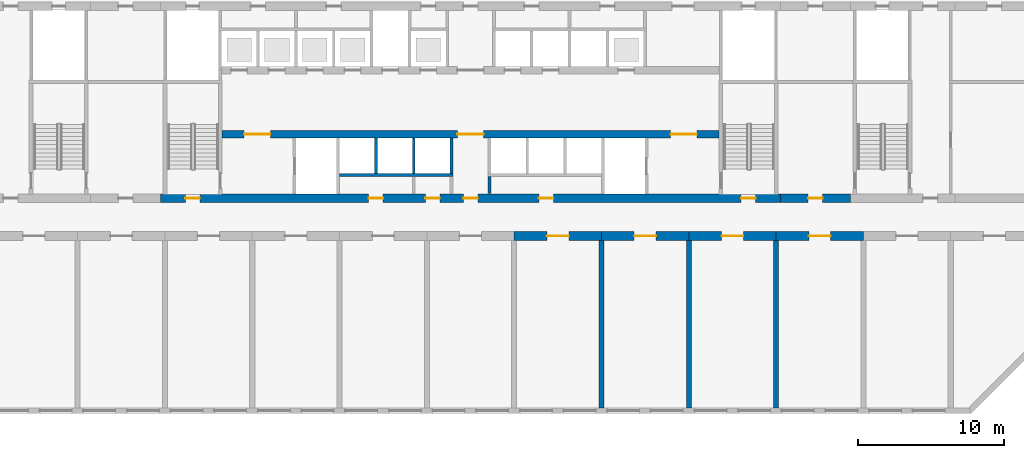
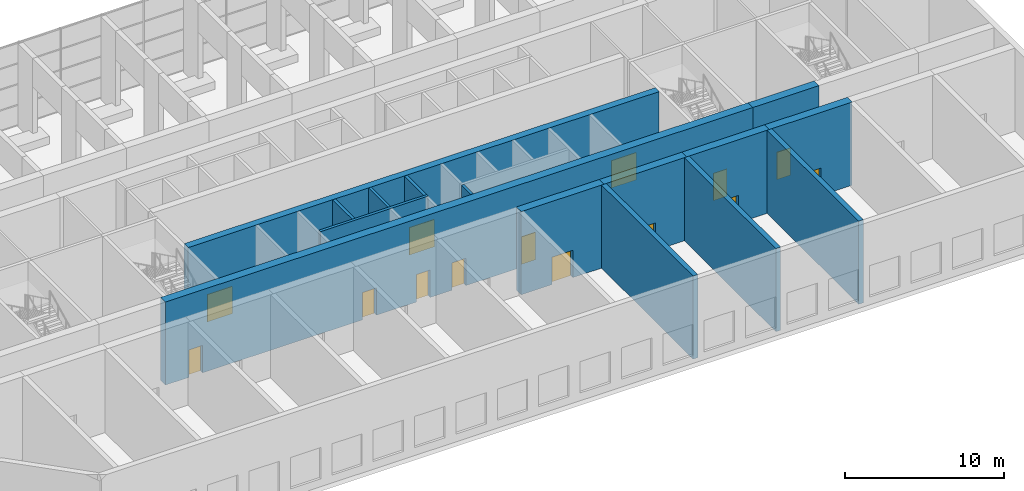
# One storey, part 9 of 16: 15 walls, 14 doors, 14 openings.
"""IFC4 building model written with IfcOpenShell, lengths in metres."""

from ifc_helpers import new_model, si_unit, direction, frame, frame_2d, origin, place, context, subcontext, project, spatial, rectangle, extrude, material, layer, layer_set, type_object, element, fill, save


model = new_model("IFC4")

# Units and contexts
model_context = context("Model", 3, precision=1e-05, world=origin(), true_north=direction((0.0, 1.0)))
body_context = subcontext(model_context, "Body", "Model", "MODEL_VIEW")
ifc_project = project(units=[si_unit("LENGTHUNIT", "METRE"), si_unit("AREAUNIT", "SQUARE_METRE"), si_unit("VOLUMEUNIT", "CUBIC_METRE"), si_unit("PLANEANGLEUNIT", "RADIAN"), si_unit("MASSUNIT", "GRAM", prefix="KILO")], contexts=[model_context])

# Site, building, storey
site_placement = place(None, origin())
site = spatial("IfcSite", under=ifc_project, at=site_placement, CompositionType="ELEMENT")
building_placement = place(site_placement, origin())
building = spatial("IfcBuilding", under=site, at=building_placement, Name="Poui Terraces", CompositionType="ELEMENT")
storey_placement = place(building_placement, frame((0.0, 0.0, 115.800048828125)))
storey = spatial("IfcBuildingStorey", under=building, at=storey_placement, Name="L32", CompositionType="ELEMENT", Elevation=115.800048828125)

# Wall, opening, door
ifc_material_1 = material(Name="Concrete 65 MPa", Category="concrete")
ifc_layer_1 = layer(ifc_material_1, 0.60009765625)
ifc_layer_set_1 = layer_set([ifc_layer_1], Name="Concrete 65 MPa")
wall_type_1 = type_object("IfcWallType", Name="BELT WALL 600 65MPa", PredefinedType="SHEAR", material=ifc_layer_set_1)
wall_1_placement = place(storey_placement, frame((54.0, 12.0, 0.0), z_axis=(0.0, 0.0, 1.0), x_axis=(1.0, 0.0, 0.0)))
wall_1 = element("IfcWall", 1, at=wall_1_placement, inside=storey, type_object=wall_type_1, Name="BELT WALL LINE B BAY 8", PredefinedType="SHEAR", context=body_context, shape_type="SweptSolid", body=[
    extrude(rectangle(XDim=6.0, YDim=0.60009765625, at=frame_2d((3.0, 0.0))), origin(), (0.0, 0.0, 1.0), 6.369873046875),
])
opening_1_placement = place(wall_1_placement, frame((2.25, 0.0, 0.0)))
opening_1 = element("IfcOpeningElement", 2, at=opening_1_placement, cuts=wall_1, Name="Opening FDP", PredefinedType="OPENING", context=body_context, shape_type="SweptSolid", body=[
    extrude(rectangle(XDim=1.5, YDim=2.10009765625, at=frame_2d((0.75, 1.050048828125))), frame((0.0, 0.31005859375, 0.0), z_axis=(0.0, -1.0, 0.0), x_axis=(1.0, 0.0, 0.0)), (0.0, 0.0, 1.0), 0.6201171875),
])
ifc_material_2 = material(Name="Steel fire door", Category="steel")
door_type_1 = type_object("IfcDoorType", Name="PLANT ROOM DOOR PAIR 1500 X 2100", OperationType="DOUBLE_DOOR_SINGLE_SWING", PredefinedType="DOOR", material=ifc_material_2)
door_1_placement = place(opening_1_placement, origin())
door_1 = element("IfcDoor", 3, at=door_1_placement, inside=storey, type_object=door_type_1, Name="PLANT ROOM DOOR PAIR 036", OperationType="DOUBLE_DOOR_SINGLE_SWING", OverallHeight=2.10009765625, OverallWidth=1.5, PredefinedType="DOOR", context=body_context, shape_type="SweptSolid", body=[
    extrude(rectangle(XDim=1.5, YDim=2.10009765625, at=frame_2d((0.75, 1.050048828125))), frame((0.0, 0.02490234375, 0.0), z_axis=(0.0, -1.0, 0.0), x_axis=(1.0, 0.0, 0.0)), (0.0, 0.0, 1.0), 0.050048828125),
])
fill(opening_1, door_1)

wall_2_placement = place(storey_placement, frame((60.0, 12.0, 0.0), z_axis=(0.0, 0.0, 1.0), x_axis=(1.0, 0.0, 0.0)))
wall_2 = element("IfcWall", 4, at=wall_2_placement, inside=storey, type_object=wall_type_1, Name="BELT WALL LINE B BAY 9", PredefinedType="SHEAR", context=body_context, shape_type="SweptSolid", body=[
    extrude(rectangle(XDim=6.0, YDim=0.60009765625, at=frame_2d((3.0, 0.0))), origin(), (0.0, 0.0, 1.0), 6.369873046875),
])
opening_2_placement = place(wall_2_placement, frame((2.25, 0.0, 0.0)))
opening_2 = element("IfcOpeningElement", 5, at=opening_2_placement, cuts=wall_2, Name="Opening FDP", PredefinedType="OPENING", context=body_context, shape_type="SweptSolid", body=[
    extrude(rectangle(XDim=1.5, YDim=2.10009765625, at=frame_2d((0.75, 1.050048828125))), frame((0.0, 0.31005859375, 0.0), z_axis=(0.0, -1.0, 0.0), x_axis=(1.0, 0.0, 0.0)), (0.0, 0.0, 1.0), 0.6201171875),
])
door_2_placement = place(opening_2_placement, origin())
door_2 = element("IfcDoor", 6, at=door_2_placement, inside=storey, type_object=door_type_1, Name="PLANT ROOM DOOR PAIR 037", OperationType="DOUBLE_DOOR_SINGLE_SWING", OverallHeight=2.10009765625, OverallWidth=1.5, PredefinedType="DOOR", context=body_context, shape_type="SweptSolid", body=[
    extrude(rectangle(XDim=1.5, YDim=2.10009765625, at=frame_2d((0.75, 1.050048828125))), frame((0.0, 0.02490234375, 0.0), z_axis=(0.0, -1.0, 0.0), x_axis=(1.0, 0.0, 0.0)), (0.0, 0.0, 1.0), 0.050048828125),
])
fill(opening_2, door_2)

wall_3_placement = place(storey_placement, frame((66.0, 12.0, 0.0), z_axis=(0.0, 0.0, 1.0), x_axis=(1.0, 0.0, 0.0)))
wall_3 = element("IfcWall", 7, at=wall_3_placement, inside=storey, type_object=wall_type_1, Name="BELT WALL LINE B BAY 10", PredefinedType="SHEAR", context=body_context, shape_type="SweptSolid", body=[
    extrude(rectangle(XDim=6.0, YDim=0.60009765625, at=frame_2d((3.0, 0.0))), origin(), (0.0, 0.0, 1.0), 6.369873046875),
])
opening_3_placement = place(wall_3_placement, frame((2.25, 0.0, 0.0)))
opening_3 = element("IfcOpeningElement", 8, at=opening_3_placement, cuts=wall_3, Name="Opening FDP", PredefinedType="OPENING", context=body_context, shape_type="SweptSolid", body=[
    extrude(rectangle(XDim=1.5, YDim=2.10009765625, at=frame_2d((0.75, 1.050048828125))), frame((0.0, 0.31005859375, 0.0), z_axis=(0.0, -1.0, 0.0), x_axis=(1.0, 0.0, 0.0)), (0.0, 0.0, 1.0), 0.6201171875),
])
door_3_placement = place(opening_3_placement, origin())
door_3 = element("IfcDoor", 9, at=door_3_placement, inside=storey, type_object=door_type_1, Name="PLANT ROOM DOOR PAIR 038", OperationType="DOUBLE_DOOR_SINGLE_SWING", OverallHeight=2.10009765625, OverallWidth=1.5, PredefinedType="DOOR", context=body_context, shape_type="SweptSolid", body=[
    extrude(rectangle(XDim=1.5, YDim=2.10009765625, at=frame_2d((0.75, 1.050048828125))), frame((0.0, 0.02490234375, 0.0), z_axis=(0.0, -1.0, 0.0), x_axis=(1.0, 0.0, 0.0)), (0.0, 0.0, 1.0), 0.050048828125),
])
fill(opening_3, door_3)

wall_4_placement = place(storey_placement, frame((72.0, 12.0, 0.0), z_axis=(0.0, 0.0, 1.0), x_axis=(1.0, 0.0, 0.0)))
wall_4 = element("IfcWall", 10, at=wall_4_placement, inside=storey, type_object=wall_type_1, Name="BELT WALL LINE B BAY 11", PredefinedType="SHEAR", context=body_context, shape_type="SweptSolid", body=[
    extrude(rectangle(XDim=6.0, YDim=0.60009765625, at=frame_2d((3.0, 0.0))), origin(), (0.0, 0.0, 1.0), 6.369873046875),
])
opening_4_placement = place(wall_4_placement, frame((2.25, 0.0, 0.0)))
opening_4 = element("IfcOpeningElement", 11, at=opening_4_placement, cuts=wall_4, Name="Opening FDP", PredefinedType="OPENING", context=body_context, shape_type="SweptSolid", body=[
    extrude(rectangle(XDim=1.5, YDim=2.10009765625, at=frame_2d((0.75, 1.050048828125))), frame((0.0, 0.31005859375, 0.0), z_axis=(0.0, -1.0, 0.0), x_axis=(1.0, 0.0, 0.0)), (0.0, 0.0, 1.0), 0.6201171875),
])
door_4_placement = place(opening_4_placement, origin())
door_4 = element("IfcDoor", 12, at=door_4_placement, inside=storey, type_object=door_type_1, Name="PLANT ROOM DOOR PAIR 041", OperationType="DOUBLE_DOOR_SINGLE_SWING", OverallHeight=2.10009765625, OverallWidth=1.5, PredefinedType="DOOR", context=body_context, shape_type="SweptSolid", body=[
    extrude(rectangle(XDim=1.5, YDim=2.10009765625, at=frame_2d((0.75, 1.050048828125))), frame((0.0, 0.02490234375, 0.0), z_axis=(0.0, -1.0, 0.0), x_axis=(1.0, 0.0, 0.0)), (0.0, 0.0, 1.0), 0.050048828125),
])
fill(opening_4, door_4)

# Wall, openings, doors
ifc_layer_2 = layer(ifc_material_1, 0.5)
ifc_layer_set_2 = layer_set([ifc_layer_2], Name="Concrete 65 MPa")
wall_type_2 = type_object("IfcWallType", Name="CORE WALL 500 65 MPA", PredefinedType="SOLIDWALL", material=ifc_layer_set_2)
wall_5_placement = place(storey_placement, frame((33.925048828125, 19.0, 0.0), z_axis=(0.0, 0.0, 1.0), x_axis=(1.0, 0.0, 0.0)))
wall_5 = element("IfcWall", 13, at=wall_5_placement, inside=storey, type_object=wall_type_2, Name="CORE WALL", PredefinedType="SOLIDWALL", context=body_context, shape_type="SweptSolid", body=[
    extrude(rectangle(XDim=34.14990234375, YDim=0.5, at=frame_2d((17.074951171875, 0.0))), origin(), (0.0, 0.0, 1.0), 6.369873046875),
])
opening_5_placement = place(wall_5_placement, frame((16.175048828125, 0.0, 0.0)))
opening_5 = element("IfcOpeningElement", 14, at=opening_5_placement, cuts=wall_5, Name="Opening FDD60", PredefinedType="OPENING", context=body_context, shape_type="SweptSolid", body=[
    extrude(rectangle(XDim=1.800048828125, YDim=2.10009765625, at=frame_2d((0.89990234375, 1.050048828125))), frame((0.0, 0.260009765625, 0.0), z_axis=(0.0, -1.0, 0.0), x_axis=(1.0, 0.0, 0.0)), (0.0, 0.0, 1.0), 0.52001953125),
])
opening_6_placement = place(wall_5_placement, frame((1.52490234375, 0.0, 0.0)))
opening_6 = element("IfcOpeningElement", 15, at=opening_6_placement, cuts=wall_5, Name="Opening FDD60", PredefinedType="OPENING", context=body_context, shape_type="SweptSolid", body=[
    extrude(rectangle(XDim=1.800048828125, YDim=2.10009765625, at=frame_2d((0.89990234375, 1.050048828125))), frame((0.0, 0.260009765625, 0.0), z_axis=(0.0, -1.0, 0.0), x_axis=(1.0, 0.0, 0.0)), (0.0, 0.0, 1.0), 0.52001953125),
])
opening_7_placement = place(wall_5_placement, frame((30.824951171875, 0.0, 0.0)))
opening_7 = element("IfcOpeningElement", 16, at=opening_7_placement, cuts=wall_5, Name="Opening FDD60", PredefinedType="OPENING", context=body_context, shape_type="SweptSolid", body=[
    extrude(rectangle(XDim=1.800048828125, YDim=2.10009765625, at=frame_2d((0.89990234375, 1.050048828125))), frame((0.0, 0.260009765625, 0.0), z_axis=(0.0, -1.0, 0.0), x_axis=(1.0, 0.0, 0.0)), (0.0, 0.0, 1.0), 0.52001953125),
])
door_type_2 = type_object("IfcDoorType", Name="DOUBLE LOBBY FIRE DOOR 1800 X 2100", OperationType="DOUBLE_DOOR_SINGLE_SWING", PredefinedType="DOOR", material=ifc_material_2)
door_5_placement = place(opening_5_placement, frame((1.800048828125, 0.0, 0.0), z_axis=(0.0, 0.0, 1.0), x_axis=(-1.0, 0.0, 0.0)))
door_5 = element("IfcDoor", 17, at=door_5_placement, inside=storey, type_object=door_type_2, Name="DOUBLE LOBBY FIRE DOOR 050", OperationType="DOUBLE_DOOR_SINGLE_SWING", OverallHeight=2.10009765625, OverallWidth=1.800048828125, PredefinedType="DOOR", context=body_context, shape_type="SweptSolid", body=[
    extrude(rectangle(XDim=1.800048828125, YDim=2.10009765625, at=frame_2d((0.89990234375, 1.050048828125))), frame((0.0, 0.02490234375, 0.0), z_axis=(0.0, -1.0, 0.0), x_axis=(1.0, 0.0, 0.0)), (0.0, 0.0, 1.0), 0.050048828125),
])
fill(opening_5, door_5)
door_6_placement = place(opening_6_placement, origin())
door_6 = element("IfcDoor", 18, at=door_6_placement, inside=storey, type_object=door_type_2, Name="DOUBLE LOBBY FIRE DOOR 052", OperationType="DOUBLE_DOOR_SINGLE_SWING", OverallHeight=2.10009765625, OverallWidth=1.800048828125, PredefinedType="DOOR", context=body_context, shape_type="SweptSolid", body=[
    extrude(rectangle(XDim=1.800048828125, YDim=2.10009765625, at=frame_2d((0.89990234375, 1.050048828125))), frame((0.0, 0.02490234375, 0.0), z_axis=(0.0, -1.0, 0.0), x_axis=(1.0, 0.0, 0.0)), (0.0, 0.0, 1.0), 0.050048828125),
])
fill(opening_6, door_6)
door_7_placement = place(opening_7_placement, origin())
door_7 = element("IfcDoor", 19, at=door_7_placement, inside=storey, type_object=door_type_2, Name="DOUBLE LOBBY FIRE DOOR 061", OperationType="DOUBLE_DOOR_SINGLE_SWING", OverallHeight=2.10009765625, OverallWidth=1.800048828125, PredefinedType="DOOR", context=body_context, shape_type="SweptSolid", body=[
    extrude(rectangle(XDim=1.800048828125, YDim=2.10009765625, at=frame_2d((0.89990234375, 1.050048828125))), frame((0.0, 0.02490234375, 0.0), z_axis=(0.0, -1.0, 0.0), x_axis=(1.0, 0.0, 0.0)), (0.0, 0.0, 1.0), 0.050048828125),
])
fill(opening_7, door_7)

# Walls
ifc_layer_3 = layer(ifc_material_1, 0.35009765625)
ifc_layer_set_3 = layer_set([ifc_layer_3], Name="Concrete 65 MPa")
wall_type_3 = type_object("IfcWallType", Name="CROSS WALL 350 65MPa", PredefinedType="SHEAR", material=ifc_layer_set_3)
for number, where, z_axis, x_axis, name in (
    (20, (60.0, 0.199951171875, 0.0), (0.0, 0.0, 1.0), (0.0, 1.0, 0.0), "CROSS WALL LINE 11 SOUTH"),
    (21, (66.0, 0.199951171875, 0.0), (0.0, 0.0, 1.0), (0.0, 1.0, 0.0), "CROSS WALL LINE 12 SOUTH"),
    (22, (72.0, 0.199951171875, 0.0), (0.0, 0.0, 1.0), (0.0, 1.0, 0.0), "CROSS WALL LINE 13 SOUTH"),
):
    element("IfcWall", number, at=place(storey_placement, frame(where, z_axis=z_axis, x_axis=x_axis)), inside=storey, type_object=wall_type_3, Name=name, PredefinedType="SHEAR", context=body_context, shape_type="SweptSolid", body=[
        extrude(rectangle(XDim=11.5, YDim=0.35009765625, at=frame_2d((5.75, 0.0))), origin(), (0.0, 0.0, 1.0), 6.369873046875),
    ])

# Wall, opening, door
ifc_layer_4 = layer(ifc_material_1, 0.60009765625)
ifc_layer_set_4 = layer_set([ifc_layer_4], Name="Concrete 65 MPa")
wall_type_4 = type_object("IfcWallType", Name="OUTRIGGER WALL 600 65MPa", PredefinedType="SHEAR", material=ifc_layer_set_4)
wall_6_placement = place(storey_placement, frame((72.300048828125, 14.60009765625, 0.0), z_axis=(0.0, 0.0, 1.0), x_axis=(1.0, 0.0, 0.0)))
wall_6 = element("IfcWall", 23, at=wall_6_placement, inside=storey, type_object=wall_type_4, Name="OUTRIGGER WALL LINE C E2", PredefinedType="SHEAR", context=body_context, shape_type="SweptSolid", body=[
    extrude(rectangle(XDim=4.800048828125, YDim=0.60009765625, at=frame_2d((2.39990234375, 0.0))), origin(), (0.0, 0.0, 1.0), 6.369873046875),
])
opening_8_placement = place(wall_6_placement, frame((1.89990234375, 0.0, 0.0)))
opening_8 = element("IfcOpeningElement", 24, at=opening_8_placement, cuts=wall_6, Name="Opening FDRF", PredefinedType="OPENING", context=body_context, shape_type="SweptSolid", body=[
    extrude(rectangle(XDim=1.0, YDim=2.10009765625, at=frame_2d((0.5, 1.050048828125))), frame((0.0, 0.31005859375, 0.0), z_axis=(0.0, -1.0, 0.0), x_axis=(1.0, 0.0, 0.0)), (0.0, 0.0, 1.0), 0.6201171875),
])
door_type_3 = type_object("IfcDoorType", Name="REFUGE AREA DOOR 1000 X 2100", OperationType="NOTDEFINED", PredefinedType="DOOR", material=ifc_material_2)
door_8_placement = place(opening_8_placement, frame((1.0, 0.0, 0.0), z_axis=(0.0, 0.0, 1.0), x_axis=(-1.0, 0.0, 0.0)))
door_8 = element("IfcDoor", 25, at=door_8_placement, inside=storey, type_object=door_type_3, Name="REFUGE AREA DOOR 040", OperationType="SINGLE_SWING_RIGHT", OverallHeight=2.10009765625, OverallWidth=1.0, PredefinedType="DOOR", context=body_context, shape_type="SweptSolid", body=[
    extrude(rectangle(XDim=1.0, YDim=2.10009765625, at=frame_2d((0.5, 1.050048828125))), frame((0.0, 0.02490234375, 0.0), z_axis=(0.0, -1.0, 0.0), x_axis=(1.0, 0.0, 0.0)), (0.0, 0.0, 1.0), 0.050048828125),
])
fill(opening_8, door_8)

# Walls
ifc_material_3 = material(Name="Fire-rated masonry wall", Category="masonry")
ifc_layer_5 = layer(ifc_material_3, 0.199951171875)
ifc_layer_set_5 = layer_set([ifc_layer_5], Name="Fire-rated masonry wall")
wall_type_5 = type_object("IfcWallType", Name="PLANT ROOM WALL 200", PredefinedType="PARTITIONING", material=ifc_layer_set_5)
wall_7_placement = place(storey_placement, frame((52.300048828125, 14.909912109375, 0.0), z_axis=(0.0, 0.0, 1.0), x_axis=(0.0, 1.0, 0.0)))
element("IfcWall", 26, at=wall_7_placement, inside=storey, type_object=wall_type_5, Name="PLANT ROOM WALL 200", PredefinedType="PARTITIONING", context=body_context, shape_type="SweptSolid", body=[
    extrude(rectangle(XDim=1.190185546875, YDim=0.199951171875, at=frame_2d((0.59521484375, 0.0))), origin(), (0.0, 0.0, 1.0), 6.369873046875),
])
ifc_material_4 = material(Name="Fire-rated masonry shaft wall", Category="masonry")
ifc_layer_6 = layer(ifc_material_4, 0.199951171875)
ifc_layer_set_6 = layer_set([ifc_layer_6], Name="Fire-rated masonry shaft wall")
wall_type_6 = type_object("IfcWallType", Name="SHAFT WALL 200", PredefinedType="PARTITIONING", material=ifc_layer_set_6)
wall_8_placement = place(storey_placement, frame((42.0, 16.199951171875, 0.0), z_axis=(0.0, 0.0, 1.0), x_axis=(1.0, 0.0, 0.0)))
element("IfcWall", 27, at=wall_8_placement, inside=storey, type_object=wall_type_6, Name="SHAFT WALL 200", PredefinedType="PARTITIONING", context=body_context, shape_type="SweptSolid", body=[
    extrude(rectangle(XDim=7.800048828125, YDim=0.199951171875, at=frame_2d((3.89990234375, 0.0))), origin(), (0.0, 0.0, 1.0), 6.369873046875),
])
for number, where, z_axis, x_axis, name in (
    (28, (44.5, 16.300048828125, 0.0), (0.0, 0.0, 1.0), (0.0, 1.0, 0.0), "SHAFT WALL 200"),
    (29, (47.10009765625, 16.300048828125, 0.0), (0.0, 0.0, 1.0), (0.0, 1.0, 0.0), "SHAFT WALL 200"),
    (30, (49.699951171875, 16.300048828125, 0.0), (0.0, 0.0, 1.0), (0.0, 1.0, 0.0), "SHAFT WALL 200"),
):
    element("IfcWall", number, at=place(storey_placement, frame(where, z_axis=z_axis, x_axis=x_axis)), inside=storey, type_object=wall_type_6, Name=name, PredefinedType="PARTITIONING", context=body_context, shape_type="SweptSolid", body=[
        extrude(rectangle(XDim=2.43994140625, YDim=0.199951171875, at=frame_2d((1.219970703125, 0.0))), origin(), (0.0, 0.0, 1.0), 6.369873046875),
    ])

# Wall, openings, doors
ifc_layer_7 = layer(ifc_material_1, 0.60009765625)
ifc_layer_set_7 = layer_set([ifc_layer_7], Name="Concrete 65 MPa")
wall_type_7 = type_object("IfcWallType", Name="SPINE WALL 600 65 MPA", PredefinedType="SOLIDWALL", material=ifc_layer_set_7)
wall_9_placement = place(storey_placement, frame((29.699951171875, 14.60009765625, 0.0), z_axis=(0.0, 0.0, 1.0), x_axis=(1.0, 0.0, 0.0)))
wall_9 = element("IfcWall", 31, at=wall_9_placement, inside=storey, type_object=wall_type_7, Name="SPINE WALL", PredefinedType="SOLIDWALL", context=body_context, shape_type="SweptSolid", body=[
    extrude(rectangle(XDim=42.60009765625, YDim=0.60009765625, at=frame_2d((21.300048828125, 0.0))), origin(), (0.0, 0.0, 1.0), 6.369873046875),
])
opening_9_placement = place(wall_9_placement, frame((1.699951171875, 0.0, 0.0)))
opening_9 = element("IfcOpeningElement", 32, at=opening_9_placement, cuts=wall_9, Name="Opening FD60S", PredefinedType="OPENING", context=body_context, shape_type="SweptSolid", body=[
    extrude(rectangle(XDim=1.0, YDim=2.10009765625, at=frame_2d((0.5, 1.050048828125))), frame((0.0, 0.31005859375, 0.0), z_axis=(0.0, -1.0, 0.0), x_axis=(1.0, 0.0, 0.0)), (0.0, 0.0, 1.0), 0.6201171875),
])
opening_10_placement = place(wall_9_placement, frame((14.300048828125, 0.0, 0.0)))
opening_10 = element("IfcOpeningElement", 33, at=opening_10_placement, cuts=wall_9, Name="Opening FD60", PredefinedType="OPENING", context=body_context, shape_type="SweptSolid", body=[
    extrude(rectangle(XDim=1.0, YDim=2.10009765625, at=frame_2d((0.5, 1.050048828125))), frame((0.0, 0.31005859375, 0.0), z_axis=(0.0, -1.0, 0.0), x_axis=(1.0, 0.0, 0.0)), (0.0, 0.0, 1.0), 0.6201171875),
])
opening_11_placement = place(wall_9_placement, frame((18.199951171875, 0.0, 0.0)))
opening_11 = element("IfcOpeningElement", 34, at=opening_11_placement, cuts=wall_9, Name="Opening FD60", PredefinedType="OPENING", context=body_context, shape_type="SweptSolid", body=[
    extrude(rectangle(XDim=1.0, YDim=2.10009765625, at=frame_2d((0.5, 1.050048828125))), frame((0.0, 0.31005859375, 0.0), z_axis=(0.0, -1.0, 0.0), x_axis=(1.0, 0.0, 0.0)), (0.0, 0.0, 1.0), 0.6201171875),
])
opening_12_placement = place(wall_9_placement, frame((20.800048828125, 0.0, 0.0)))
opening_12 = element("IfcOpeningElement", 35, at=opening_12_placement, cuts=wall_9, Name="Opening FDL", PredefinedType="OPENING", context=body_context, shape_type="SweptSolid", body=[
    extrude(rectangle(XDim=1.0, YDim=2.10009765625, at=frame_2d((0.5, 1.050048828125))), frame((0.0, 0.31005859375, 0.0), z_axis=(0.0, -1.0, 0.0), x_axis=(1.0, 0.0, 0.0)), (0.0, 0.0, 1.0), 0.6201171875),
])
opening_13_placement = place(wall_9_placement, frame((26.0, 0.0, 0.0)))
opening_13 = element("IfcOpeningElement", 36, at=opening_13_placement, cuts=wall_9, Name="Opening FD60", PredefinedType="OPENING", context=body_context, shape_type="SweptSolid", body=[
    extrude(rectangle(XDim=1.0, YDim=2.10009765625, at=frame_2d((0.5, 1.050048828125))), frame((0.0, 0.31005859375, 0.0), z_axis=(0.0, -1.0, 0.0), x_axis=(1.0, 0.0, 0.0)), (0.0, 0.0, 1.0), 0.6201171875),
])
opening_14_placement = place(wall_9_placement, frame((39.89990234375, 0.0, 0.0)))
opening_14 = element("IfcOpeningElement", 37, at=opening_14_placement, cuts=wall_9, Name="Opening FD60S", PredefinedType="OPENING", context=body_context, shape_type="SweptSolid", body=[
    extrude(rectangle(XDim=1.0, YDim=2.10009765625, at=frame_2d((0.5, 1.050048828125))), frame((0.0, 0.31005859375, 0.0), z_axis=(0.0, -1.0, 0.0), x_axis=(1.0, 0.0, 0.0)), (0.0, 0.0, 1.0), 0.6201171875),
])
door_type_4 = type_object("IfcDoorType", Name="LOBBY FIRE DOOR 1000 X 2100", OperationType="NOTDEFINED", PredefinedType="DOOR", material=ifc_material_2)
door_9_placement = place(opening_12_placement, frame((1.0, 0.0, 0.0), z_axis=(0.0, 0.0, 1.0), x_axis=(-1.0, 0.0, 0.0)))
door_9 = element("IfcDoor", 38, at=door_9_placement, inside=storey, type_object=door_type_4, Name="LOBBY FIRE DOOR 034", OperationType="SINGLE_SWING_LEFT", OverallHeight=2.10009765625, OverallWidth=1.0, PredefinedType="DOOR", context=body_context, shape_type="SweptSolid", body=[
    extrude(rectangle(XDim=1.0, YDim=2.10009765625, at=frame_2d((0.5, 1.050048828125))), frame((0.0, 0.02490234375, 0.0), z_axis=(0.0, -1.0, 0.0), x_axis=(1.0, 0.0, 0.0)), (0.0, 0.0, 1.0), 0.050048828125),
])
fill(opening_12, door_9)
door_type_5 = type_object("IfcDoorType", Name="SERVICE ROOM FIRE DOOR 1000 X 2100", OperationType="NOTDEFINED", PredefinedType="DOOR", material=ifc_material_2)
door_10_placement = place(opening_10_placement, frame((1.0, 0.0, 0.0), z_axis=(0.0, 0.0, 1.0), x_axis=(-1.0, 0.0, 0.0)))
door_10 = element("IfcDoor", 39, at=door_10_placement, inside=storey, type_object=door_type_5, Name="SERVICE ROOM FIRE DOOR 030", OperationType="SINGLE_SWING_LEFT", OverallHeight=2.10009765625, OverallWidth=1.0, PredefinedType="DOOR", context=body_context, shape_type="SweptSolid", body=[
    extrude(rectangle(XDim=1.0, YDim=2.10009765625, at=frame_2d((0.5, 1.050048828125))), frame((0.0, 0.02490234375, 0.0), z_axis=(0.0, -1.0, 0.0), x_axis=(1.0, 0.0, 0.0)), (0.0, 0.0, 1.0), 0.050048828125),
])
fill(opening_10, door_10)
door_11_placement = place(opening_11_placement, frame((1.0, 0.0, 0.0), z_axis=(0.0, 0.0, 1.0), x_axis=(-1.0, 0.0, 0.0)))
door_11 = element("IfcDoor", 40, at=door_11_placement, inside=storey, type_object=door_type_5, Name="SERVICE ROOM FIRE DOOR 032", OperationType="SINGLE_SWING_RIGHT", OverallHeight=2.10009765625, OverallWidth=1.0, PredefinedType="DOOR", context=body_context, shape_type="SweptSolid", body=[
    extrude(rectangle(XDim=1.0, YDim=2.10009765625, at=frame_2d((0.5, 1.050048828125))), frame((0.0, 0.02490234375, 0.0), z_axis=(0.0, -1.0, 0.0), x_axis=(1.0, 0.0, 0.0)), (0.0, 0.0, 1.0), 0.050048828125),
])
fill(opening_11, door_11)
door_12_placement = place(opening_13_placement, frame((1.0, 0.0, 0.0), z_axis=(0.0, 0.0, 1.0), x_axis=(-1.0, 0.0, 0.0)))
door_12 = element("IfcDoor", 41, at=door_12_placement, inside=storey, type_object=door_type_5, Name="SERVICE ROOM FIRE DOOR 035", OperationType="SINGLE_SWING_LEFT", OverallHeight=2.10009765625, OverallWidth=1.0, PredefinedType="DOOR", context=body_context, shape_type="SweptSolid", body=[
    extrude(rectangle(XDim=1.0, YDim=2.10009765625, at=frame_2d((0.5, 1.050048828125))), frame((0.0, 0.02490234375, 0.0), z_axis=(0.0, -1.0, 0.0), x_axis=(1.0, 0.0, 0.0)), (0.0, 0.0, 1.0), 0.050048828125),
])
fill(opening_13, door_12)
door_type_6 = type_object("IfcDoorType", Name="STAIR DOOR 1000 X 2100", OperationType="NOTDEFINED", PredefinedType="DOOR", material=ifc_material_2)
door_13_placement = place(opening_9_placement, origin())
door_13 = element("IfcDoor", 42, at=door_13_placement, inside=storey, type_object=door_type_6, Name="STAIR DOOR 027", OperationType="SINGLE_SWING_RIGHT", OverallHeight=2.10009765625, OverallWidth=1.0, PredefinedType="DOOR", context=body_context, shape_type="SweptSolid", body=[
    extrude(rectangle(XDim=1.0, YDim=2.10009765625, at=frame_2d((0.5, 1.050048828125))), frame((0.0, 0.02490234375, 0.0), z_axis=(0.0, -1.0, 0.0), x_axis=(1.0, 0.0, 0.0)), (0.0, 0.0, 1.0), 0.050048828125),
])
fill(opening_9, door_13)
door_14_placement = place(opening_14_placement, origin())
door_14 = element("IfcDoor", 43, at=door_14_placement, inside=storey, type_object=door_type_6, Name="STAIR DOOR 039", OperationType="SINGLE_SWING_RIGHT", OverallHeight=2.10009765625, OverallWidth=1.0, PredefinedType="DOOR", context=body_context, shape_type="SweptSolid", body=[
    extrude(rectangle(XDim=1.0, YDim=2.10009765625, at=frame_2d((0.5, 1.050048828125))), frame((0.0, 0.02490234375, 0.0), z_axis=(0.0, -1.0, 0.0), x_axis=(1.0, 0.0, 0.0)), (0.0, 0.0, 1.0), 0.050048828125),
])
fill(opening_14, door_14)

save(model, "model.ifc")
